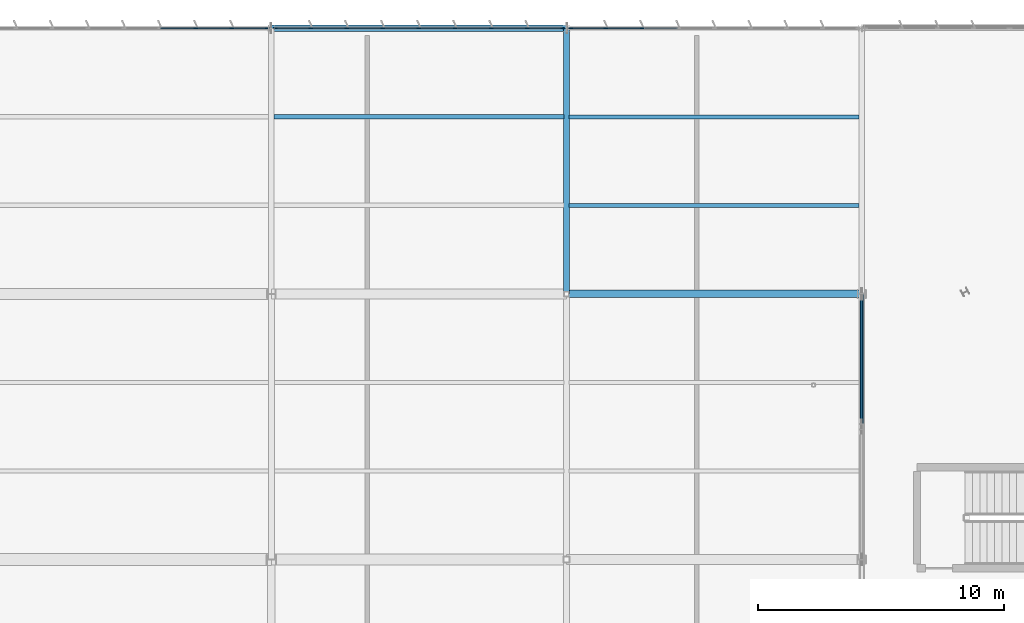
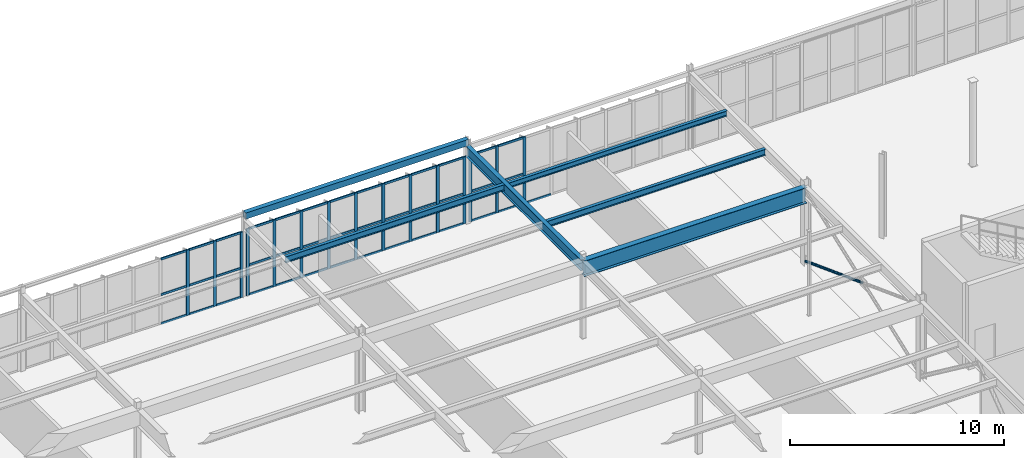
# One storey, part 94 of 226: 56 members, 6 beams, 3 elements without a shape of their own.
"""IFC4 building model written with IfcOpenShell, lengths in metres."""

from ifc_helpers import new_model, si_unit, direction, frame, origin, origin_2d, place, context, subcontext, project, spatial, rectangle, hollow_rectangle, hollow_circle, i_section, extrude, material, layer, layer_set, material_profile, profile_set, type_object, element, aggregate, save


model = new_model("IFC4")

# Units and contexts
model_context = context("Model", 3, precision=1e-05, world=origin(), true_north=direction((0.0, 1.0)))
body_context = subcontext(model_context, "Body", "Model", "MODEL_VIEW")
ifc_project = project(units=[si_unit("LENGTHUNIT", "METRE"), si_unit("AREAUNIT", "SQUARE_METRE"), si_unit("VOLUMEUNIT", "CUBIC_METRE"), si_unit("PLANEANGLEUNIT", "RADIAN"), si_unit("MASSUNIT", "GRAM", prefix="KILO")], contexts=[model_context])

# Site, building, storey
site_placement = place(None, origin())
site = spatial("IfcSite", under=ifc_project, at=site_placement, CompositionType="ELEMENT")
building_placement = place(site_placement, origin())
building = spatial("IfcBuilding", under=site, at=building_placement, Name="Tarnwether General Hospital", CompositionType="ELEMENT")
storey_placement = place(building_placement, frame((0.0, 0.0, 4.800048828125)))
storey = spatial("IfcBuildingStorey", under=building, at=storey_placement, Name="L01", CompositionType="ELEMENT", Elevation=4.800048828125)

# Beams
ifc_material_1 = material(Name="Steel Grade 350 (350 MPa)", Category="steel")
ifc_material_profile_1 = material_profile(ifc_material_1, i_section(OverallWidth=0.300048828125, OverallDepth=0.89990234375, WebThickness=0.011962890625, FlangeThickness=0.02001953125, at=origin_2d()), Name="900WB175")
ifc_profile_set_1 = profile_set([ifc_material_profile_1], Name="Steel Grade 350 (350 MPa)")
beam_type_1 = type_object("IfcBeamType", Name="BM-G01", PredefinedType="BEAM", material=ifc_profile_set_1)
beam_1_placement = place(storey_placement, frame((48.0, 115.199951171875, 3.97998046875), z_axis=(1.0, 0.0, 0.0), x_axis=(0.0, 1.0, 0.0)))
element("IfcBeam", 1, at=beam_1_placement, inside=storey, type_object=beam_type_1, Name="Primary Girder BMG-L01-4800_11520-6000_11520-1115", PredefinedType="BEAM", context=body_context, shape_type="SweptSolid", body=[
    extrude(i_section(OverallWidth=0.300048828125, OverallDepth=0.89990234375, WebThickness=0.011962890625, FlangeThickness=0.02001953125, at=origin_2d()), origin(), (0.0, 0.0, 1.0), 12.0),
])
ifc_material_2 = material(Name="Steel Grade 350 (350 MPa)", Category="steel")
ifc_material_profile_2 = material_profile(ifc_material_2, i_section(OverallWidth=0.22802734375, OverallDepth=0.60693359375, WebThickness=0.01123046875, FlangeThickness=0.017333984375, at=origin_2d()), Name="610UB113")
ifc_profile_set_2 = profile_set([ifc_material_profile_2], Name="Steel Grade 350 (350 MPa)")
beam_type_2 = type_object("IfcBeamType", Name="BM-G04", PredefinedType="BEAM", material=ifc_profile_set_2)
beam_2_placement = place(storey_placement, frame((48.0, 115.199951171875, 4.12646484375), z_axis=(0.0, 1.0, 0.0), x_axis=(-1.0, 0.0, 0.0)))
element("IfcBeam", 2, at=beam_2_placement, inside=storey, type_object=beam_type_2, Name="Primary Girder BMG-L01-4800_11520-4800_12600-1116", PredefinedType="BEAM", context=body_context, shape_type="SweptSolid", body=[
    extrude(i_section(OverallWidth=0.22802734375, OverallDepth=0.60693359375, WebThickness=0.01123046875, FlangeThickness=0.017333984375, at=origin_2d()), origin(), (0.0, 0.0, 1.0), 10.800048828125),
])
ifc_material_3 = material(Name="Steel Grade 350 (350 MPa)", Category="steel")
ifc_material_profile_3 = material_profile(ifc_material_3, i_section(OverallWidth=0.1708984375, OverallDepth=0.35595703125, WebThickness=0.00732421875, FlangeThickness=0.011474609375, at=origin_2d()), Name="360UB50.7")
ifc_profile_set_3 = profile_set([ifc_material_profile_3], Name="Steel Grade 350 (350 MPa)")
beam_type_3 = type_object("IfcBeamType", Name="BM-J04", PredefinedType="JOIST", material=ifc_profile_set_3)
for number, where, z_axis, x_axis, name in (
    (3, (36.10791015625, 122.39990234375, 4.251953125), (1.0, 0.0, 0.0), (0.0, 1.0, 0.0), "Composite Floor Joist BMG-L01-3611_12240-4789_12240-1338"),
    (4, (48.10791015625, 118.800048828125, 4.251953125), (1.0, 0.0, 0.0), (0.0, 1.0, 0.0), "Composite Floor Joist BMG-L01-4811_11880-5989_11880-1351"),
):
    element("IfcBeam", number, at=place(storey_placement, frame(where, z_axis=z_axis, x_axis=x_axis)), inside=storey, type_object=beam_type_3, Name=name, PredefinedType="JOIST", context=body_context, shape_type="SweptSolid", body=[
        extrude(i_section(OverallWidth=0.1708984375, OverallDepth=0.35595703125, WebThickness=0.00732421875, FlangeThickness=0.011474609375, at=origin_2d()), origin(), (0.0, 0.0, 1.0), 11.7841796875),
    ])
ifc_material_4 = material(Name="Steel Grade 350 (350 MPa)", Category="steel")
ifc_material_profile_4 = material_profile(ifc_material_4, i_section(OverallWidth=0.166015625, OverallDepth=0.306884765625, WebThickness=0.006591796875, FlangeThickness=0.01171875, at=origin_2d()), Name="310UB46.2")
ifc_profile_set_4 = profile_set([ifc_material_profile_4], Name="Steel Grade 350 (350 MPa)")
beam_type_4 = type_object("IfcBeamType", Name="BM-J05", PredefinedType="JOIST", material=ifc_profile_set_4)
beam_3_placement = place(storey_placement, frame((48.10791015625, 122.39990234375, 4.2763671875), z_axis=(1.0, 0.0, 0.0), x_axis=(0.0, 1.0, 0.0)))
element("IfcBeam", 5, at=beam_3_placement, inside=storey, type_object=beam_type_4, Name="Composite Floor Joist BMG-L01-4811_12240-5989_12240-1352", PredefinedType="JOIST", context=body_context, shape_type="SweptSolid", body=[
    extrude(i_section(OverallWidth=0.166015625, OverallDepth=0.306884765625, WebThickness=0.006591796875, FlangeThickness=0.01171875, at=origin_2d()), origin(), (0.0, 0.0, 1.0), 11.7841796875),
])
ifc_material_5 = material(Name="Steel Grade C350L0 (350 MPa)", Category="steel")
ifc_material_profile_5 = material_profile(ifc_material_5, hollow_rectangle(XDim=0.25, YDim=0.35009765625, WallThickness=0.012451171875, at=origin_2d()), Name="RHS350x250x12.5")
ifc_profile_set_5 = profile_set([ifc_material_profile_5], Name="Steel Grade C350L0 (350 MPa)")
beam_type_5 = type_object("IfcBeamType", Name="BM-SP7", PredefinedType="SPANDREL", material=ifc_profile_set_5)
beam_4_placement = place(storey_placement, frame((36.0, 126.0, 4.625), z_axis=(1.0, 0.0, 0.0), x_axis=(0.0, 1.0, 0.0)))
element("IfcBeam", 6, at=beam_4_placement, inside=storey, type_object=beam_type_5, Name="Primary Girder BMG-L01-3600_12600-4800_12600-1102", PredefinedType="SPANDREL", context=body_context, shape_type="SweptSolid", body=[
    extrude(hollow_rectangle(XDim=0.25, YDim=0.35009765625, WallThickness=0.012451171875, at=origin_2d()), origin(), (0.0, 0.0, 1.0), 12.0),
])

# Curtain wall, members
ifc_material_6 = material(Name="Anodised aluminium", Category="aluminium")
ifc_layer = layer(ifc_material_6, 0.159912109375)
ifc_layer_set = layer_set([ifc_layer], Name="Anodised aluminium")
curtain_wall_type = type_object("IfcCurtainWallType", Name="CW-12", PredefinedType="NOTDEFINED", material=ifc_layer_set)
curtain_wall_1_placement = place(storey_placement, origin())
curtain_wall_1 = element("IfcCurtainWall", 7, at=curtain_wall_1_placement, inside=storey, type_object=curtain_wall_type, Name="Curtain Wall CWG-L01-241_1260-0319", PredefinedType="NOTDEFINED")
ifc_material_7 = material(Name="Anodised aluminium", Category="aluminium")
ifc_material_profile_6 = material_profile(ifc_material_7, rectangle(XDim=0.06005859375, YDim=0.159912109375, at=origin_2d()), Name="ALU-MUL-60x160")
ifc_profile_set_6 = profile_set([ifc_material_profile_6], Name="Anodised aluminium")
member_type_1 = type_object("IfcMemberType", Name="CW-ML1", PredefinedType="MULLION", material=ifc_profile_set_6)
member_1_placement = place(storey_placement, frame((32.9326171875, 126.0, 0.0), z_axis=(0.0, 0.0, 1.0), x_axis=(0.0, 1.0, 0.0)))
member_1 = element("IfcMember", 8, at=member_1_placement, type_object=member_type_1, Name="CW-12 mullion 7", PredefinedType="MULLION", context=body_context, shape_type="SweptSolid", body=[
    extrude(rectangle(XDim=0.06005859375, YDim=0.159912109375, at=origin_2d()), origin(), (0.0, 0.0, 1.0), 3.722900390625),
])
member_2_placement = place(storey_placement, frame((34.398681640625, 126.0, 0.0), z_axis=(0.0, 0.0, 1.0), x_axis=(0.0, 1.0, 0.0)))
member_2 = element("IfcMember", 9, at=member_2_placement, type_object=member_type_1, Name="CW-12 mullion 8", PredefinedType="MULLION", context=body_context, shape_type="SweptSolid", body=[
    extrude(rectangle(XDim=0.06005859375, YDim=0.159912109375, at=origin_2d()), origin(), (0.0, 0.0, 1.0), 3.722900390625),
])
member_3_placement = place(storey_placement, frame((35.8349609375, 126.0, 0.0), z_axis=(0.0, 0.0, 1.0), x_axis=(0.0, 1.0, 0.0)))
member_3 = element("IfcMember", 10, at=member_3_placement, type_object=member_type_1, Name="CW-12 mullion 9", PredefinedType="MULLION", context=body_context, shape_type="SweptSolid", body=[
    extrude(rectangle(XDim=0.06005859375, YDim=0.159912109375, at=origin_2d()), origin(), (0.0, 0.0, 1.0), 3.722900390625),
])

curtain_wall_2_placement = place(storey_placement, origin())
curtain_wall_2 = element("IfcCurtainWall", 11, at=curtain_wall_2_placement, inside=storey, type_object=curtain_wall_type, Name="Curtain Wall CWG-L01-361_1260-0320", PredefinedType="NOTDEFINED")
member_4_placement = place(storey_placement, frame((36.1650390625, 126.0, 0.0), z_axis=(0.0, 0.0, 1.0), x_axis=(0.0, 1.0, 0.0)))
member_4 = element("IfcMember", 12, at=member_4_placement, type_object=member_type_1, Name="CW-12 mullion 1", PredefinedType="MULLION", context=body_context, shape_type="SweptSolid", body=[
    extrude(rectangle(XDim=0.06005859375, YDim=0.159912109375, at=origin_2d()), origin(), (0.0, 0.0, 1.0), 3.802978515625),
])
member_5_placement = place(storey_placement, frame((37.601318359375, 126.0, 0.0), z_axis=(0.0, 0.0, 1.0), x_axis=(0.0, 1.0, 0.0)))
member_5 = element("IfcMember", 13, at=member_5_placement, type_object=member_type_1, Name="CW-12 mullion 2", PredefinedType="MULLION", context=body_context, shape_type="SweptSolid", body=[
    extrude(rectangle(XDim=0.06005859375, YDim=0.159912109375, at=origin_2d()), origin(), (0.0, 0.0, 1.0), 3.802978515625),
])
member_6_placement = place(storey_placement, frame((39.0673828125, 126.0, 0.0), z_axis=(0.0, 0.0, 1.0), x_axis=(0.0, 1.0, 0.0)))
member_6 = element("IfcMember", 14, at=member_6_placement, type_object=member_type_1, Name="CW-12 mullion 3", PredefinedType="MULLION", context=body_context, shape_type="SweptSolid", body=[
    extrude(rectangle(XDim=0.06005859375, YDim=0.159912109375, at=origin_2d()), origin(), (0.0, 0.0, 1.0), 3.802978515625),
])
member_7_placement = place(storey_placement, frame((40.53369140625, 126.0, 0.0), z_axis=(0.0, 0.0, 1.0), x_axis=(0.0, 1.0, 0.0)))
member_7 = element("IfcMember", 15, at=member_7_placement, type_object=member_type_1, Name="CW-12 mullion 4", PredefinedType="MULLION", context=body_context, shape_type="SweptSolid", body=[
    extrude(rectangle(XDim=0.06005859375, YDim=0.159912109375, at=origin_2d()), origin(), (0.0, 0.0, 1.0), 3.802978515625),
])
member_8_placement = place(storey_placement, frame((42.0, 126.0, 0.0), z_axis=(0.0, 0.0, 1.0), x_axis=(0.0, 1.0, 0.0)))
member_8 = element("IfcMember", 16, at=member_8_placement, type_object=member_type_1, Name="CW-12 mullion 5", PredefinedType="MULLION", context=body_context, shape_type="SweptSolid", body=[
    extrude(rectangle(XDim=0.06005859375, YDim=0.159912109375, at=origin_2d()), origin(), (0.0, 0.0, 1.0), 3.802978515625),
])
member_9_placement = place(storey_placement, frame((43.46630859375, 126.0, 0.0), z_axis=(0.0, 0.0, 1.0), x_axis=(0.0, 1.0, 0.0)))
member_9 = element("IfcMember", 17, at=member_9_placement, type_object=member_type_1, Name="CW-12 mullion 6", PredefinedType="MULLION", context=body_context, shape_type="SweptSolid", body=[
    extrude(rectangle(XDim=0.06005859375, YDim=0.159912109375, at=origin_2d()), origin(), (0.0, 0.0, 1.0), 3.802978515625),
])
member_10_placement = place(storey_placement, frame((44.9326171875, 126.0, 0.0), z_axis=(0.0, 0.0, 1.0), x_axis=(0.0, 1.0, 0.0)))
member_10 = element("IfcMember", 18, at=member_10_placement, type_object=member_type_1, Name="CW-12 mullion 7", PredefinedType="MULLION", context=body_context, shape_type="SweptSolid", body=[
    extrude(rectangle(XDim=0.06005859375, YDim=0.159912109375, at=origin_2d()), origin(), (0.0, 0.0, 1.0), 3.802978515625),
])
member_11_placement = place(storey_placement, frame((46.398681640625, 126.0, 0.0), z_axis=(0.0, 0.0, 1.0), x_axis=(0.0, 1.0, 0.0)))
member_11 = element("IfcMember", 19, at=member_11_placement, type_object=member_type_1, Name="CW-12 mullion 8", PredefinedType="MULLION", context=body_context, shape_type="SweptSolid", body=[
    extrude(rectangle(XDim=0.06005859375, YDim=0.159912109375, at=origin_2d()), origin(), (0.0, 0.0, 1.0), 3.802978515625),
])
member_12_placement = place(storey_placement, frame((47.8349609375, 126.0, 0.0), z_axis=(0.0, 0.0, 1.0), x_axis=(0.0, 1.0, 0.0)))
member_12 = element("IfcMember", 20, at=member_12_placement, type_object=member_type_1, Name="CW-12 mullion 9", PredefinedType="MULLION", context=body_context, shape_type="SweptSolid", body=[
    extrude(rectangle(XDim=0.06005859375, YDim=0.159912109375, at=origin_2d()), origin(), (0.0, 0.0, 1.0), 3.802978515625),
])

curtain_wall_3_placement = place(storey_placement, origin())
curtain_wall_3 = element("IfcCurtainWall", 21, at=curtain_wall_3_placement, inside=storey, type_object=curtain_wall_type, Name="Curtain Wall CWG-L01-481_1260-0321", PredefinedType="NOTDEFINED")
member_13_placement = place(storey_placement, frame((48.1650390625, 126.0, 0.0), z_axis=(0.0, 0.0, 1.0), x_axis=(0.0, 1.0, 0.0)))
member_13 = element("IfcMember", 22, at=member_13_placement, type_object=member_type_1, Name="CW-12 mullion 1", PredefinedType="MULLION", context=body_context, shape_type="SweptSolid", body=[
    extrude(rectangle(XDim=0.06005859375, YDim=0.159912109375, at=origin_2d()), origin(), (0.0, 0.0, 1.0), 3.807861328125),
])
member_14_placement = place(storey_placement, frame((49.601318359375, 126.0, 0.0), z_axis=(0.0, 0.0, 1.0), x_axis=(0.0, 1.0, 0.0)))
member_14 = element("IfcMember", 23, at=member_14_placement, type_object=member_type_1, Name="CW-12 mullion 2", PredefinedType="MULLION", context=body_context, shape_type="SweptSolid", body=[
    extrude(rectangle(XDim=0.06005859375, YDim=0.159912109375, at=origin_2d()), origin(), (0.0, 0.0, 1.0), 3.807861328125),
])
member_15_placement = place(storey_placement, frame((51.0673828125, 126.0, 0.0), z_axis=(0.0, 0.0, 1.0), x_axis=(0.0, 1.0, 0.0)))
member_15 = element("IfcMember", 24, at=member_15_placement, type_object=member_type_1, Name="CW-12 mullion 3", PredefinedType="MULLION", context=body_context, shape_type="SweptSolid", body=[
    extrude(rectangle(XDim=0.06005859375, YDim=0.159912109375, at=origin_2d()), origin(), (0.0, 0.0, 1.0), 3.807861328125),
])

# Member
ifc_material_8 = material(Name="Anodised aluminium", Category="aluminium")
ifc_material_profile_7 = material_profile(ifc_material_8, rectangle(XDim=0.06005859375, YDim=0.1201171875, at=origin_2d()), Name="ALU-TRN-60x120")
ifc_profile_set_7 = profile_set([ifc_material_profile_7], Name="Anodised aluminium")
member_type_2 = type_object("IfcMemberType", Name="CW-TR1", PredefinedType="USERDEFINED", material=ifc_profile_set_7)
member_16_placement = place(storey_placement, frame((31.496337890625, 126.0, 0.030029296875), z_axis=(1.0, 0.0, 0.0), x_axis=(0.0, 1.0, 0.0)))
member_16 = element("IfcMember", 25, at=member_16_placement, type_object=member_type_2, Name="CW-12 transom 6.1", ObjectType="TRANSOM", PredefinedType="USERDEFINED", context=body_context, shape_type="SweptSolid", body=[
    extrude(rectangle(XDim=0.06005859375, YDim=0.1201171875, at=origin_2d()), origin(), (0.0, 0.0, 1.0), 1.40625),
])

member_17_placement = place(storey_placement, frame((31.496337890625, 126.0, 1.67529296875), z_axis=(1.0, 0.0, 0.0), x_axis=(0.0, 1.0, 0.0)))
member_17 = element("IfcMember", 26, at=member_17_placement, type_object=member_type_2, Name="CW-12 transom 6.2", ObjectType="TRANSOM", PredefinedType="USERDEFINED", context=body_context, shape_type="SweptSolid", body=[
    extrude(rectangle(XDim=0.06005859375, YDim=0.1201171875, at=origin_2d()), origin(), (0.0, 0.0, 1.0), 1.40625),
])

member_18_placement = place(storey_placement, frame((31.496337890625, 126.0, 3.69287109375), z_axis=(1.0, 0.0, 0.0), x_axis=(0.0, 1.0, 0.0)))
member_18 = element("IfcMember", 27, at=member_18_placement, type_object=member_type_2, Name="CW-12 transom 6.3", ObjectType="TRANSOM", PredefinedType="USERDEFINED", context=body_context, shape_type="SweptSolid", body=[
    extrude(rectangle(XDim=0.06005859375, YDim=0.1201171875, at=origin_2d()), origin(), (0.0, 0.0, 1.0), 1.40625),
])

member_19_placement = place(storey_placement, frame((32.96240234375, 126.0, 0.030029296875), z_axis=(1.0, 0.0, 0.0), x_axis=(0.0, 1.0, 0.0)))
member_19 = element("IfcMember", 28, at=member_19_placement, type_object=member_type_2, Name="CW-12 transom 7.1", ObjectType="TRANSOM", PredefinedType="USERDEFINED", context=body_context, shape_type="SweptSolid", body=[
    extrude(rectangle(XDim=0.06005859375, YDim=0.1201171875, at=origin_2d()), origin(), (0.0, 0.0, 1.0), 1.40625),
])

member_20_placement = place(storey_placement, frame((32.96240234375, 126.0, 1.67529296875), z_axis=(1.0, 0.0, 0.0), x_axis=(0.0, 1.0, 0.0)))
member_20 = element("IfcMember", 29, at=member_20_placement, type_object=member_type_2, Name="CW-12 transom 7.2", ObjectType="TRANSOM", PredefinedType="USERDEFINED", context=body_context, shape_type="SweptSolid", body=[
    extrude(rectangle(XDim=0.06005859375, YDim=0.1201171875, at=origin_2d()), origin(), (0.0, 0.0, 1.0), 1.40625),
])

member_21_placement = place(storey_placement, frame((32.96240234375, 126.0, 3.69287109375), z_axis=(1.0, 0.0, 0.0), x_axis=(0.0, 1.0, 0.0)))
member_21 = element("IfcMember", 30, at=member_21_placement, type_object=member_type_2, Name="CW-12 transom 7.3", ObjectType="TRANSOM", PredefinedType="USERDEFINED", context=body_context, shape_type="SweptSolid", body=[
    extrude(rectangle(XDim=0.06005859375, YDim=0.1201171875, at=origin_2d()), origin(), (0.0, 0.0, 1.0), 1.40625),
])

member_22_placement = place(storey_placement, frame((34.4287109375, 126.0, 0.030029296875), z_axis=(1.0, 0.0, 0.0), x_axis=(0.0, 1.0, 0.0)))
member_22 = element("IfcMember", 31, at=member_22_placement, type_object=member_type_2, Name="CW-12 transom 8.1", ObjectType="TRANSOM", PredefinedType="USERDEFINED", context=body_context, shape_type="SweptSolid", body=[
    extrude(rectangle(XDim=0.06005859375, YDim=0.1201171875, at=origin_2d()), origin(), (0.0, 0.0, 1.0), 1.376220703125),
])

member_23_placement = place(storey_placement, frame((34.4287109375, 126.0, 1.67529296875), z_axis=(1.0, 0.0, 0.0), x_axis=(0.0, 1.0, 0.0)))
member_23 = element("IfcMember", 32, at=member_23_placement, type_object=member_type_2, Name="CW-12 transom 8.2", ObjectType="TRANSOM", PredefinedType="USERDEFINED", context=body_context, shape_type="SweptSolid", body=[
    extrude(rectangle(XDim=0.06005859375, YDim=0.1201171875, at=origin_2d()), origin(), (0.0, 0.0, 1.0), 1.376220703125),
])

member_24_placement = place(storey_placement, frame((34.4287109375, 126.0, 3.69287109375), z_axis=(1.0, 0.0, 0.0), x_axis=(0.0, 1.0, 0.0)))
member_24 = element("IfcMember", 33, at=member_24_placement, type_object=member_type_2, Name="CW-12 transom 8.3", ObjectType="TRANSOM", PredefinedType="USERDEFINED", context=body_context, shape_type="SweptSolid", body=[
    extrude(rectangle(XDim=0.06005859375, YDim=0.1201171875, at=origin_2d()), origin(), (0.0, 0.0, 1.0), 1.376220703125),
])

aggregate(curtain_wall_1, [member_1, member_2, member_3, member_16, member_17, member_18, member_19, member_20, member_21, member_22, member_23, member_24])

member_25_placement = place(storey_placement, frame((36.195068359375, 126.0, 0.030029296875), z_axis=(1.0, 0.0, 0.0), x_axis=(0.0, 1.0, 0.0)))
member_25 = element("IfcMember", 34, at=member_25_placement, type_object=member_type_2, Name="CW-12 transom 1.1", ObjectType="TRANSOM", PredefinedType="USERDEFINED", context=body_context, shape_type="SweptSolid", body=[
    extrude(rectangle(XDim=0.06005859375, YDim=0.1201171875, at=origin_2d()), origin(), (0.0, 0.0, 1.0), 1.376220703125),
])

member_26_placement = place(storey_placement, frame((36.195068359375, 126.0, 1.71142578125), z_axis=(1.0, 0.0, 0.0), x_axis=(0.0, 1.0, 0.0)))
member_26 = element("IfcMember", 35, at=member_26_placement, type_object=member_type_2, Name="CW-12 transom 1.2", ObjectType="TRANSOM", PredefinedType="USERDEFINED", context=body_context, shape_type="SweptSolid", body=[
    extrude(rectangle(XDim=0.06005859375, YDim=0.1201171875, at=origin_2d()), origin(), (0.0, 0.0, 1.0), 1.376220703125),
])

member_27_placement = place(storey_placement, frame((36.195068359375, 126.0, 3.77294921875), z_axis=(1.0, 0.0, 0.0), x_axis=(0.0, 1.0, 0.0)))
member_27 = element("IfcMember", 36, at=member_27_placement, type_object=member_type_2, Name="CW-12 transom 1.3", ObjectType="TRANSOM", PredefinedType="USERDEFINED", context=body_context, shape_type="SweptSolid", body=[
    extrude(rectangle(XDim=0.06005859375, YDim=0.1201171875, at=origin_2d()), origin(), (0.0, 0.0, 1.0), 1.376220703125),
])

member_28_placement = place(storey_placement, frame((37.63134765625, 126.0, 0.030029296875), z_axis=(1.0, 0.0, 0.0), x_axis=(0.0, 1.0, 0.0)))
member_28 = element("IfcMember", 37, at=member_28_placement, type_object=member_type_2, Name="CW-12 transom 2.1", ObjectType="TRANSOM", PredefinedType="USERDEFINED", context=body_context, shape_type="SweptSolid", body=[
    extrude(rectangle(XDim=0.06005859375, YDim=0.1201171875, at=origin_2d()), origin(), (0.0, 0.0, 1.0), 1.40625),
])

member_29_placement = place(storey_placement, frame((37.63134765625, 126.0, 1.71142578125), z_axis=(1.0, 0.0, 0.0), x_axis=(0.0, 1.0, 0.0)))
member_29 = element("IfcMember", 38, at=member_29_placement, type_object=member_type_2, Name="CW-12 transom 2.2", ObjectType="TRANSOM", PredefinedType="USERDEFINED", context=body_context, shape_type="SweptSolid", body=[
    extrude(rectangle(XDim=0.06005859375, YDim=0.1201171875, at=origin_2d()), origin(), (0.0, 0.0, 1.0), 1.40625),
])

member_30_placement = place(storey_placement, frame((37.63134765625, 126.0, 3.77294921875), z_axis=(1.0, 0.0, 0.0), x_axis=(0.0, 1.0, 0.0)))
member_30 = element("IfcMember", 39, at=member_30_placement, type_object=member_type_2, Name="CW-12 transom 2.3", ObjectType="TRANSOM", PredefinedType="USERDEFINED", context=body_context, shape_type="SweptSolid", body=[
    extrude(rectangle(XDim=0.06005859375, YDim=0.1201171875, at=origin_2d()), origin(), (0.0, 0.0, 1.0), 1.40625),
])

member_31_placement = place(storey_placement, frame((39.097412109375, 126.0, 0.030029296875), z_axis=(1.0, 0.0, 0.0), x_axis=(0.0, 1.0, 0.0)))
member_31 = element("IfcMember", 40, at=member_31_placement, type_object=member_type_2, Name="CW-12 transom 3.1", ObjectType="TRANSOM", PredefinedType="USERDEFINED", context=body_context, shape_type="SweptSolid", body=[
    extrude(rectangle(XDim=0.06005859375, YDim=0.1201171875, at=origin_2d()), origin(), (0.0, 0.0, 1.0), 1.40625),
])

member_32_placement = place(storey_placement, frame((39.097412109375, 126.0, 1.71142578125), z_axis=(1.0, 0.0, 0.0), x_axis=(0.0, 1.0, 0.0)))
member_32 = element("IfcMember", 41, at=member_32_placement, type_object=member_type_2, Name="CW-12 transom 3.2", ObjectType="TRANSOM", PredefinedType="USERDEFINED", context=body_context, shape_type="SweptSolid", body=[
    extrude(rectangle(XDim=0.06005859375, YDim=0.1201171875, at=origin_2d()), origin(), (0.0, 0.0, 1.0), 1.40625),
])

member_33_placement = place(storey_placement, frame((39.097412109375, 126.0, 3.77294921875), z_axis=(1.0, 0.0, 0.0), x_axis=(0.0, 1.0, 0.0)))
member_33 = element("IfcMember", 42, at=member_33_placement, type_object=member_type_2, Name="CW-12 transom 3.3", ObjectType="TRANSOM", PredefinedType="USERDEFINED", context=body_context, shape_type="SweptSolid", body=[
    extrude(rectangle(XDim=0.06005859375, YDim=0.1201171875, at=origin_2d()), origin(), (0.0, 0.0, 1.0), 1.40625),
])

member_34_placement = place(storey_placement, frame((40.563720703125, 126.0, 0.030029296875), z_axis=(1.0, 0.0, 0.0), x_axis=(0.0, 1.0, 0.0)))
member_34 = element("IfcMember", 43, at=member_34_placement, type_object=member_type_2, Name="CW-12 transom 4.1", ObjectType="TRANSOM", PredefinedType="USERDEFINED", context=body_context, shape_type="SweptSolid", body=[
    extrude(rectangle(XDim=0.06005859375, YDim=0.1201171875, at=origin_2d()), origin(), (0.0, 0.0, 1.0), 1.40625),
])

member_35_placement = place(storey_placement, frame((40.563720703125, 126.0, 1.71142578125), z_axis=(1.0, 0.0, 0.0), x_axis=(0.0, 1.0, 0.0)))
member_35 = element("IfcMember", 44, at=member_35_placement, type_object=member_type_2, Name="CW-12 transom 4.2", ObjectType="TRANSOM", PredefinedType="USERDEFINED", context=body_context, shape_type="SweptSolid", body=[
    extrude(rectangle(XDim=0.06005859375, YDim=0.1201171875, at=origin_2d()), origin(), (0.0, 0.0, 1.0), 1.40625),
])

member_36_placement = place(storey_placement, frame((40.563720703125, 126.0, 3.77294921875), z_axis=(1.0, 0.0, 0.0), x_axis=(0.0, 1.0, 0.0)))
member_36 = element("IfcMember", 45, at=member_36_placement, type_object=member_type_2, Name="CW-12 transom 4.3", ObjectType="TRANSOM", PredefinedType="USERDEFINED", context=body_context, shape_type="SweptSolid", body=[
    extrude(rectangle(XDim=0.06005859375, YDim=0.1201171875, at=origin_2d()), origin(), (0.0, 0.0, 1.0), 1.40625),
])

member_37_placement = place(storey_placement, frame((42.030029296875, 126.0, 0.030029296875), z_axis=(1.0, 0.0, 0.0), x_axis=(0.0, 1.0, 0.0)))
member_37 = element("IfcMember", 46, at=member_37_placement, type_object=member_type_2, Name="CW-12 transom 5.1", ObjectType="TRANSOM", PredefinedType="USERDEFINED", context=body_context, shape_type="SweptSolid", body=[
    extrude(rectangle(XDim=0.06005859375, YDim=0.1201171875, at=origin_2d()), origin(), (0.0, 0.0, 1.0), 1.40625),
])

member_38_placement = place(storey_placement, frame((42.030029296875, 126.0, 1.71142578125), z_axis=(1.0, 0.0, 0.0), x_axis=(0.0, 1.0, 0.0)))
member_38 = element("IfcMember", 47, at=member_38_placement, type_object=member_type_2, Name="CW-12 transom 5.2", ObjectType="TRANSOM", PredefinedType="USERDEFINED", context=body_context, shape_type="SweptSolid", body=[
    extrude(rectangle(XDim=0.06005859375, YDim=0.1201171875, at=origin_2d()), origin(), (0.0, 0.0, 1.0), 1.40625),
])

member_39_placement = place(storey_placement, frame((42.030029296875, 126.0, 3.77294921875), z_axis=(1.0, 0.0, 0.0), x_axis=(0.0, 1.0, 0.0)))
member_39 = element("IfcMember", 48, at=member_39_placement, type_object=member_type_2, Name="CW-12 transom 5.3", ObjectType="TRANSOM", PredefinedType="USERDEFINED", context=body_context, shape_type="SweptSolid", body=[
    extrude(rectangle(XDim=0.06005859375, YDim=0.1201171875, at=origin_2d()), origin(), (0.0, 0.0, 1.0), 1.40625),
])

member_40_placement = place(storey_placement, frame((43.496337890625, 126.0, 0.030029296875), z_axis=(1.0, 0.0, 0.0), x_axis=(0.0, 1.0, 0.0)))
member_40 = element("IfcMember", 49, at=member_40_placement, type_object=member_type_2, Name="CW-12 transom 6.1", ObjectType="TRANSOM", PredefinedType="USERDEFINED", context=body_context, shape_type="SweptSolid", body=[
    extrude(rectangle(XDim=0.06005859375, YDim=0.1201171875, at=origin_2d()), origin(), (0.0, 0.0, 1.0), 1.40625),
])

member_41_placement = place(storey_placement, frame((43.496337890625, 126.0, 1.71142578125), z_axis=(1.0, 0.0, 0.0), x_axis=(0.0, 1.0, 0.0)))
member_41 = element("IfcMember", 50, at=member_41_placement, type_object=member_type_2, Name="CW-12 transom 6.2", ObjectType="TRANSOM", PredefinedType="USERDEFINED", context=body_context, shape_type="SweptSolid", body=[
    extrude(rectangle(XDim=0.06005859375, YDim=0.1201171875, at=origin_2d()), origin(), (0.0, 0.0, 1.0), 1.40625),
])

member_42_placement = place(storey_placement, frame((43.496337890625, 126.0, 3.77294921875), z_axis=(1.0, 0.0, 0.0), x_axis=(0.0, 1.0, 0.0)))
member_42 = element("IfcMember", 51, at=member_42_placement, type_object=member_type_2, Name="CW-12 transom 6.3", ObjectType="TRANSOM", PredefinedType="USERDEFINED", context=body_context, shape_type="SweptSolid", body=[
    extrude(rectangle(XDim=0.06005859375, YDim=0.1201171875, at=origin_2d()), origin(), (0.0, 0.0, 1.0), 1.40625),
])

member_43_placement = place(storey_placement, frame((44.96240234375, 126.0, 0.030029296875), z_axis=(1.0, 0.0, 0.0), x_axis=(0.0, 1.0, 0.0)))
member_43 = element("IfcMember", 52, at=member_43_placement, type_object=member_type_2, Name="CW-12 transom 7.1", ObjectType="TRANSOM", PredefinedType="USERDEFINED", context=body_context, shape_type="SweptSolid", body=[
    extrude(rectangle(XDim=0.06005859375, YDim=0.1201171875, at=origin_2d()), origin(), (0.0, 0.0, 1.0), 1.40625),
])

member_44_placement = place(storey_placement, frame((44.96240234375, 126.0, 1.71142578125), z_axis=(1.0, 0.0, 0.0), x_axis=(0.0, 1.0, 0.0)))
member_44 = element("IfcMember", 53, at=member_44_placement, type_object=member_type_2, Name="CW-12 transom 7.2", ObjectType="TRANSOM", PredefinedType="USERDEFINED", context=body_context, shape_type="SweptSolid", body=[
    extrude(rectangle(XDim=0.06005859375, YDim=0.1201171875, at=origin_2d()), origin(), (0.0, 0.0, 1.0), 1.40625),
])

member_45_placement = place(storey_placement, frame((44.96240234375, 126.0, 3.77294921875), z_axis=(1.0, 0.0, 0.0), x_axis=(0.0, 1.0, 0.0)))
member_45 = element("IfcMember", 54, at=member_45_placement, type_object=member_type_2, Name="CW-12 transom 7.3", ObjectType="TRANSOM", PredefinedType="USERDEFINED", context=body_context, shape_type="SweptSolid", body=[
    extrude(rectangle(XDim=0.06005859375, YDim=0.1201171875, at=origin_2d()), origin(), (0.0, 0.0, 1.0), 1.40625),
])

member_46_placement = place(storey_placement, frame((46.4287109375, 126.0, 0.030029296875), z_axis=(1.0, 0.0, 0.0), x_axis=(0.0, 1.0, 0.0)))
member_46 = element("IfcMember", 55, at=member_46_placement, type_object=member_type_2, Name="CW-12 transom 8.1", ObjectType="TRANSOM", PredefinedType="USERDEFINED", context=body_context, shape_type="SweptSolid", body=[
    extrude(rectangle(XDim=0.06005859375, YDim=0.1201171875, at=origin_2d()), origin(), (0.0, 0.0, 1.0), 1.376220703125),
])

member_47_placement = place(storey_placement, frame((46.4287109375, 126.0, 1.71142578125), z_axis=(1.0, 0.0, 0.0), x_axis=(0.0, 1.0, 0.0)))
member_47 = element("IfcMember", 56, at=member_47_placement, type_object=member_type_2, Name="CW-12 transom 8.2", ObjectType="TRANSOM", PredefinedType="USERDEFINED", context=body_context, shape_type="SweptSolid", body=[
    extrude(rectangle(XDim=0.06005859375, YDim=0.1201171875, at=origin_2d()), origin(), (0.0, 0.0, 1.0), 1.376220703125),
])

member_48_placement = place(storey_placement, frame((46.4287109375, 126.0, 3.77294921875), z_axis=(1.0, 0.0, 0.0), x_axis=(0.0, 1.0, 0.0)))
member_48 = element("IfcMember", 57, at=member_48_placement, type_object=member_type_2, Name="CW-12 transom 8.3", ObjectType="TRANSOM", PredefinedType="USERDEFINED", context=body_context, shape_type="SweptSolid", body=[
    extrude(rectangle(XDim=0.06005859375, YDim=0.1201171875, at=origin_2d()), origin(), (0.0, 0.0, 1.0), 1.376220703125),
])

aggregate(curtain_wall_2, [member_4, member_5, member_6, member_7, member_8, member_9, member_10, member_11, member_12, member_25, member_26, member_27, member_28, member_29, member_30, member_31, member_32, member_33, member_34, member_35, member_36, member_37, member_38, member_39, member_40, member_41, member_42, member_43, member_44, member_45, member_46, member_47, member_48])

member_49_placement = place(storey_placement, frame((48.195068359375, 126.0, 0.030029296875), z_axis=(1.0, 0.0, 0.0), x_axis=(0.0, 1.0, 0.0)))
member_49 = element("IfcMember", 58, at=member_49_placement, type_object=member_type_2, Name="CW-12 transom 1.1", ObjectType="TRANSOM", PredefinedType="USERDEFINED", context=body_context, shape_type="SweptSolid", body=[
    extrude(rectangle(XDim=0.06005859375, YDim=0.1201171875, at=origin_2d()), origin(), (0.0, 0.0, 1.0), 1.376220703125),
])

member_50_placement = place(storey_placement, frame((48.195068359375, 126.0, 1.713623046875), z_axis=(1.0, 0.0, 0.0), x_axis=(0.0, 1.0, 0.0)))
member_50 = element("IfcMember", 59, at=member_50_placement, type_object=member_type_2, Name="CW-12 transom 1.2", ObjectType="TRANSOM", PredefinedType="USERDEFINED", context=body_context, shape_type="SweptSolid", body=[
    extrude(rectangle(XDim=0.06005859375, YDim=0.1201171875, at=origin_2d()), origin(), (0.0, 0.0, 1.0), 1.376220703125),
])

member_51_placement = place(storey_placement, frame((48.195068359375, 126.0, 3.77783203125), z_axis=(1.0, 0.0, 0.0), x_axis=(0.0, 1.0, 0.0)))
member_51 = element("IfcMember", 60, at=member_51_placement, type_object=member_type_2, Name="CW-12 transom 1.3", ObjectType="TRANSOM", PredefinedType="USERDEFINED", context=body_context, shape_type="SweptSolid", body=[
    extrude(rectangle(XDim=0.06005859375, YDim=0.1201171875, at=origin_2d()), origin(), (0.0, 0.0, 1.0), 1.376220703125),
])

member_52_placement = place(storey_placement, frame((49.63134765625, 126.0, 0.030029296875), z_axis=(1.0, 0.0, 0.0), x_axis=(0.0, 1.0, 0.0)))
member_52 = element("IfcMember", 61, at=member_52_placement, type_object=member_type_2, Name="CW-12 transom 2.1", ObjectType="TRANSOM", PredefinedType="USERDEFINED", context=body_context, shape_type="SweptSolid", body=[
    extrude(rectangle(XDim=0.06005859375, YDim=0.1201171875, at=origin_2d()), origin(), (0.0, 0.0, 1.0), 1.40625),
])

member_53_placement = place(storey_placement, frame((49.63134765625, 126.0, 1.713623046875), z_axis=(1.0, 0.0, 0.0), x_axis=(0.0, 1.0, 0.0)))
member_53 = element("IfcMember", 62, at=member_53_placement, type_object=member_type_2, Name="CW-12 transom 2.2", ObjectType="TRANSOM", PredefinedType="USERDEFINED", context=body_context, shape_type="SweptSolid", body=[
    extrude(rectangle(XDim=0.06005859375, YDim=0.1201171875, at=origin_2d()), origin(), (0.0, 0.0, 1.0), 1.40625),
])

member_54_placement = place(storey_placement, frame((49.63134765625, 126.0, 3.77783203125), z_axis=(1.0, 0.0, 0.0), x_axis=(0.0, 1.0, 0.0)))
member_54 = element("IfcMember", 63, at=member_54_placement, type_object=member_type_2, Name="CW-12 transom 2.3", ObjectType="TRANSOM", PredefinedType="USERDEFINED", context=body_context, shape_type="SweptSolid", body=[
    extrude(rectangle(XDim=0.06005859375, YDim=0.1201171875, at=origin_2d()), origin(), (0.0, 0.0, 1.0), 1.40625),
])

member_55_placement = place(storey_placement, frame((51.097412109375, 126.0, 0.030029296875), z_axis=(1.0, 0.0, 0.0), x_axis=(0.0, 1.0, 0.0)))
member_55 = element("IfcMember", 64, at=member_55_placement, type_object=member_type_2, Name="CW-12 transom 3.1", ObjectType="TRANSOM", PredefinedType="USERDEFINED", context=body_context, shape_type="SweptSolid", body=[
    extrude(rectangle(XDim=0.06005859375, YDim=0.1201171875, at=origin_2d()), origin(), (0.0, 0.0, 1.0), 1.40625),
])

aggregate(curtain_wall_3, [member_13, member_14, member_15, member_49, member_50, member_51, member_52, member_53, member_54, member_55])

ifc_material_9 = material(Name="Steel Grade C350L0 (350 MPa)", Category="steel")
ifc_material_profile_8 = material_profile(ifc_material_9, hollow_circle(Radius=0.06982421875, WallThickness=0.00634765625, at=origin_2d()), Name="CHS139.7x6.4")
ifc_profile_set_8 = profile_set([ifc_material_profile_8], Name="Steel Grade C350L0 (350 MPa)")
member_type_3 = type_object("IfcMemberType", Name="MB-BR6", PredefinedType="BRACE", material=ifc_profile_set_8)
member_56_placement = place(storey_placement, frame((60.0, 115.199951171875, 0.139892578125), z_axis=(0.0, -0.936327394544, 0.351128196286), x_axis=(1.0, 0.0, 0.0)))
element("IfcMember", 65, at=member_56_placement, inside=storey, type_object=member_type_3, Name="X-Brace Lower Split Diagonal 033", PredefinedType="BRACE", context=body_context, shape_type="SweptSolid", body=[
    extrude(hollow_circle(Radius=0.06982421875, WallThickness=0.00634765625, at=origin_2d()), origin(), (0.0, 0.0, 1.0), 5.627197265625),
])

save(model, "model.ifc")
